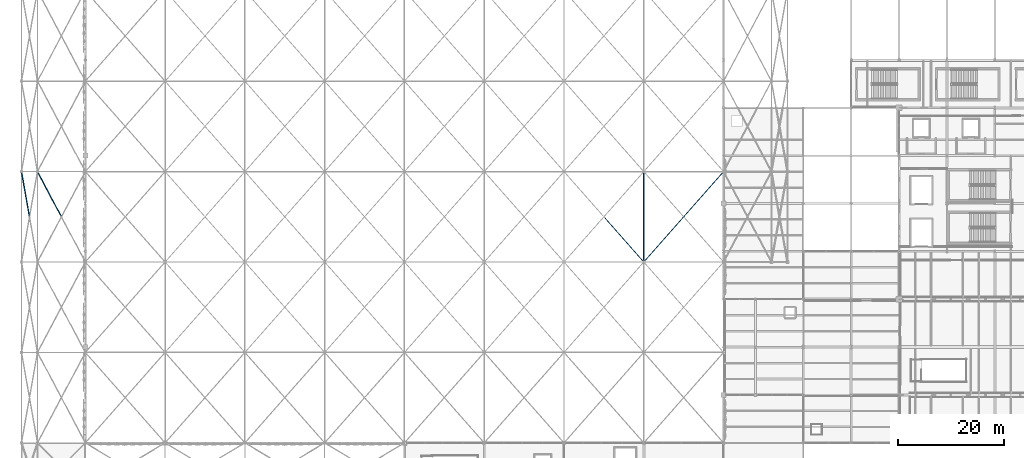
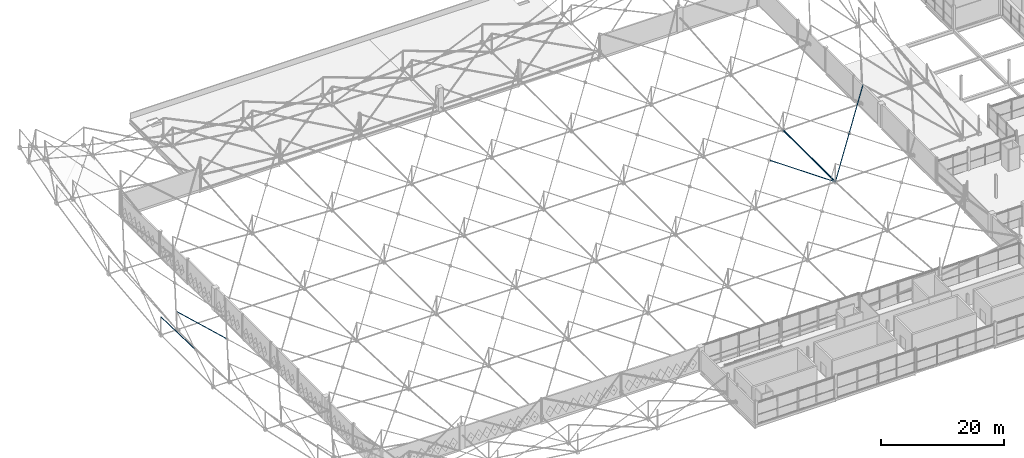
# One storey, part 66 of 224: 5 members.
"""IFC4 building model written with IfcOpenShell, lengths in metres."""

from ifc_helpers import new_model, si_unit, direction, frame, origin, origin_2d, place, context, subcontext, project, spatial, hollow_circle, extrude, material, material_profile, profile_set, type_object, element, save


model = new_model("IFC4")

# Units and contexts
model_context = context("Model", 3, precision=1e-05, world=origin(), true_north=direction((0.0, 1.0)))
body_context = subcontext(model_context, "Body", "Model", "MODEL_VIEW")
ifc_project = project(units=[si_unit("LENGTHUNIT", "METRE"), si_unit("AREAUNIT", "SQUARE_METRE"), si_unit("VOLUMEUNIT", "CUBIC_METRE"), si_unit("PLANEANGLEUNIT", "RADIAN"), si_unit("MASSUNIT", "GRAM", prefix="KILO")], contexts=[model_context])

# Site, building, storey
site_placement = place(None, origin())
site = spatial("IfcSite", under=ifc_project, at=site_placement, CompositionType="ELEMENT")
building_placement = place(site_placement, origin())
building = spatial("IfcBuilding", under=site, at=building_placement, Name="Qamarlyn Nura Convention Centre", CompositionType="ELEMENT")
storey_placement = place(building_placement, frame((0.0, 0.0, 10.800048828125)))
storey = spatial("IfcBuildingStorey", under=building, at=storey_placement, Name="L02", CompositionType="ELEMENT", Elevation=10.800048828125)

# Members
ifc_material = material(Name="Pearl-white PVDF steel ASTM A500 Grade C", Category="steel")
ifc_material_profile_1 = material_profile(ifc_material, hollow_circle(Radius=0.136474609375, WallThickness=0.012451171875, at=origin_2d()), Name="CHS273X12.5")
ifc_profile_set_1 = profile_set([ifc_material_profile_1], Name="Pearl-white PVDF steel ASTM A500 Grade C")
member_type_1 = type_object("IfcMemberType", Name="SF-BC-MAIN", PredefinedType="CHORD", material=ifc_profile_set_1)
member_1_placement = place(storey_placement, frame((105.0, 52.0, 0.80126953125), z_axis=(0.0, 1.0, 0.0), x_axis=(-1.0, 0.0, 0.0)))
element("IfcMember", 1, at=member_1_placement, inside=storey, type_object=member_type_1, Name="ROOF TRUSS space frame bottom chord Y9-4", PredefinedType="CHORD", context=body_context, shape_type="SweptSolid", body=[
    extrude(hollow_circle(Radius=0.136474609375, WallThickness=0.012451171875, at=origin_2d()), origin(), (0.0, 0.0, 1.0), 17.0),
])
ifc_material_profile_2 = material_profile(ifc_material, hollow_circle(Radius=0.084228515625, WallThickness=0.008056640625, at=origin_2d()), Name="CHS168.3X8")
ifc_profile_set_2 = profile_set([ifc_material_profile_2], Name="Pearl-white PVDF steel ASTM A500 Grade C")
member_type_2 = type_object("IfcMemberType", Name="SF-WEB-STD", PredefinedType="BRACE", material=ifc_profile_set_2)
member_2_placement = place(storey_placement, frame((-10.523681640625, 60.635009765625, 2.836669921875), z_axis=(-0.170131327634, 0.963983740486, 0.204427687546), x_axis=(-0.984780665211, -0.17380173022, 0.0)))
element("IfcMember", 2, at=member_2_placement, inside=storey, type_object=member_type_2, Name="ROOF TRUSS space frame split diagonal B2 0-4", PredefinedType="BRACE", context=body_context, shape_type="SweptSolid", body=[
    extrude(hollow_circle(Radius=0.084228515625, WallThickness=0.008056640625, at=origin_2d()), origin(), (0.0, 0.0, 1.0), 8.677490234375),
])
member_3_placement = place(storey_placement, frame((-4.564208984375, 60.62158203125, 2.797607421875), z_axis=(-0.459618128425, 0.868136657565, 0.187323035995), x_axis=(-0.883781025665, -0.46790073592, 0.0)))
element("IfcMember", 3, at=member_3_placement, inside=storey, type_object=member_type_2, Name="ROOF TRUSS space frame split diagonal B2 1-4", PredefinedType="BRACE", context=body_context, shape_type="SweptSolid", body=[
    extrude(hollow_circle(Radius=0.084228515625, WallThickness=0.008056640625, at=origin_2d()), origin(), (0.0, 0.0, 1.0), 9.651123046875),
])
member_4_placement = place(storey_placement, frame((105.0, 52.0, 0.80126953125), z_axis=(-0.653439033065, 0.740564237474, 0.156786607341), x_axis=(-0.749837855365, -0.661621637087, 0.0)))
element("IfcMember", 4, at=member_4_placement, inside=storey, type_object=member_type_2, Name="ROOF TRUSS space frame split diagonal B1 8-4", PredefinedType="BRACE", context=body_context, shape_type="SweptSolid", body=[
    extrude(hollow_circle(Radius=0.084228515625, WallThickness=0.008056640625, at=origin_2d()), origin(), (0.0, 0.0, 1.0), 11.337646484375),
])
member_5_placement = place(storey_placement, frame((105.0, 52.0, 0.80126953125), z_axis=(0.652816974643, 0.739859237929, 0.162598602913), x_axis=(-0.749837855365, 0.661621637087, 0.0)))
element("IfcMember", 5, at=member_5_placement, inside=storey, type_object=member_type_2, Name="ROOF TRUSS space frame diagonal A 9-4", PredefinedType="BRACE", context=body_context, shape_type="SweptSolid", body=[
    extrude(hollow_circle(Radius=0.084228515625, WallThickness=0.008056640625, at=origin_2d()), origin(), (0.0, 0.0, 1.0), 22.977294921875),
])

save(model, "model.ifc")
